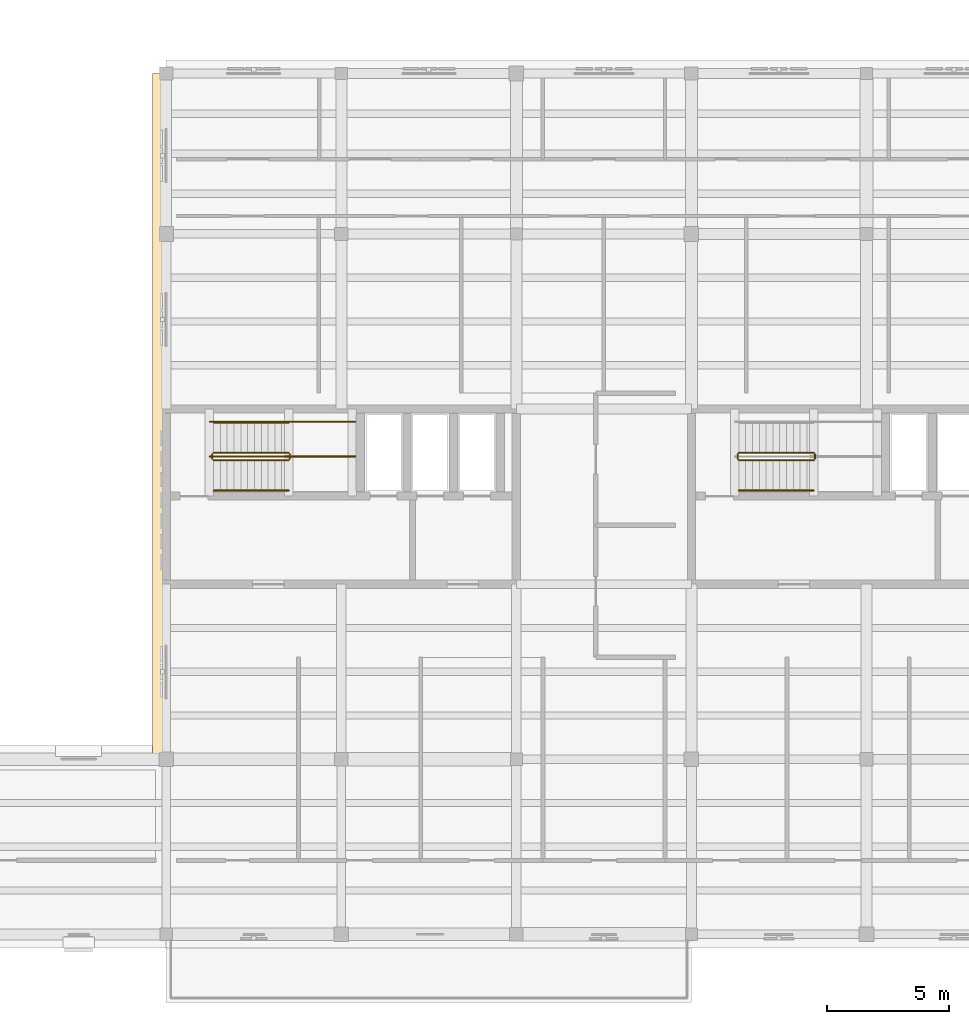
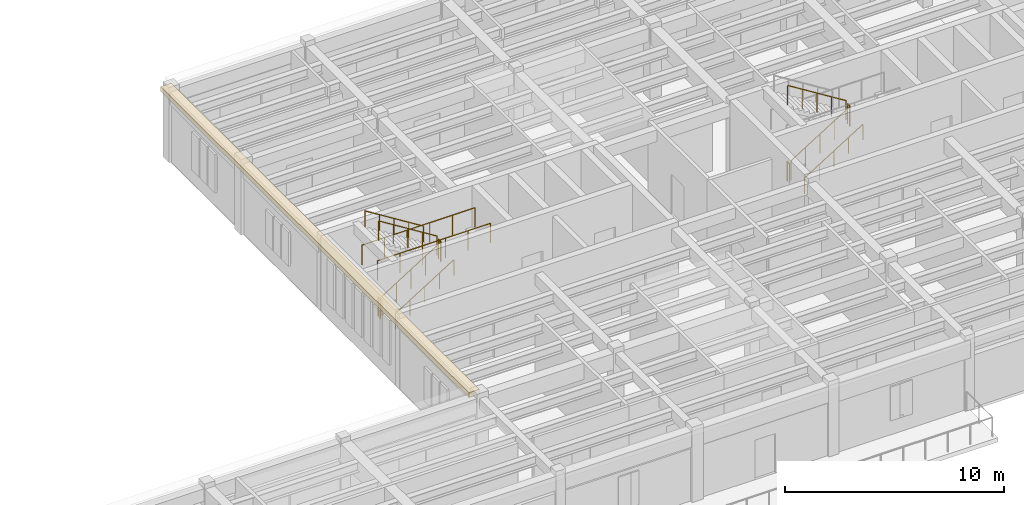
# One storey, part 21 of 22: 13 railings, 1 covering.
"""IFC4 building model written with IfcOpenShell, lengths in metres."""

from ifc_helpers import new_model, si_unit, direction, frame, origin, origin_2d, place, context, subcontext, project, spatial, rectangle, circle, extrude, material, layer, layer_set, type_object, element, save


model = new_model("IFC4")

# Units and contexts
model_context = context("Model", 3, precision=1e-05, world=origin(), true_north=direction((0.0, 1.0)))
body_context = subcontext(model_context, "Body", "Model", "MODEL_VIEW")
ifc_project = project(units=[si_unit("LENGTHUNIT", "METRE"), si_unit("AREAUNIT", "SQUARE_METRE"), si_unit("VOLUMEUNIT", "CUBIC_METRE"), si_unit("PLANEANGLEUNIT", "RADIAN"), si_unit("MASSUNIT", "GRAM", prefix="KILO")], contexts=[model_context])

# Site, building, storey
site_placement = place(None, origin())
site = spatial("IfcSite", under=ifc_project, at=site_placement, CompositionType="ELEMENT")
building_placement = place(site_placement, origin())
building = spatial("IfcBuilding", under=site, at=building_placement, Name="Mithqara Police Headquarters", CompositionType="ELEMENT")
storey_placement = place(building_placement, frame((0.0, 0.0, 22.199951171875)))
storey = spatial("IfcBuildingStorey", under=building, at=storey_placement, Name="L05", CompositionType="ELEMENT", Elevation=22.199951171875)

# Covering
ifc_material_1 = material(Name="Limestone ashlar masonry, 45 MPa", Category="masonry")
ifc_layer = layer(ifc_material_1, 0.320068359375, Name="Limestone ashlar masonry, 45 MPa")
ifc_layer_set = layer_set([ifc_layer], Name="Limestone ashlar masonry, 45 MPa")
covering_type = type_object("IfcCoveringType", Name="CORNICE LIMESTONE", PredefinedType="CLADDING", material=ifc_layer_set)
covering_placement = place(storey_placement, frame((108.320068359375, 99.89990234375, 3.919921875), z_axis=(0.0, 0.0, 1.0), x_axis=(0.0, 1.0, 0.0)))
element("IfcCovering", 1, at=covering_placement, inside=storey, type_object=covering_type, Name="L05 Projecting Ottoman Limestone Eaves Cornice 9", PredefinedType="CLADDING", context=body_context, shape_type="SweptSolid", body=[
    extrude(rectangle(XDim=28.199951171875, YDim=0.56005859375, at=origin_2d()), origin(), (0.0, 0.0, 1.0), 0.280029296875),
])

# Railings
ifc_material_2 = material(Name="Steel S355JR", Category="steel")
railing_type_1 = type_object("IfcRailingType", Name="HANDRAIL 920", PredefinedType="HANDRAIL", material=ifc_material_2)
railing_1_placement = place(storey_placement, frame((110.550048828125, 96.85009765625, 0.175048828125)))
element("IfcRailing", 2, at=railing_1_placement, inside=storey, type_object=railing_type_1, Name="L05 ST-01 stair handrail 1", PredefinedType="HANDRAIL", context=body_context, shape_type="SweptSolid", body=[
    extrude(circle(Radius=0.02392578125, at=origin_2d()), frame((0.0, 0.0, 0.8759765625), z_axis=(0.847979421464, 0.0, 0.530029150871), x_axis=(0.0, 1.0, 0.0)), (0.0, 0.0, 1.0), 3.632080078125),
    extrude(circle(Radius=0.02099609375, at=origin_2d()), origin(), (0.0, 0.0, 1.0), 0.851806640625),
    extrude(circle(Radius=0.02099609375, at=origin_2d()), frame((0.77001953125, 0.0, 0.481201171875)), (0.0, 0.0, 1.0), 0.851806640625),
    extrude(circle(Radius=0.02099609375, at=origin_2d()), frame((1.5400390625, 0.0, 0.96240234375)), (0.0, 0.0, 1.0), 0.851806640625),
    extrude(circle(Radius=0.02099609375, at=origin_2d()), frame((2.309814453125, 0.0, 1.44384765625)), (0.0, 0.0, 1.0), 0.851806640625),
    extrude(circle(Radius=0.02099609375, at=origin_2d()), frame((3.079833984375, 0.0, 1.925048828125)), (0.0, 0.0, 1.0), 0.851806640625),
])
railing_2_placement = place(storey_placement, frame((113.6298828125, 99.64990234375, 2.275146484375)))
element("IfcRailing", 3, at=railing_2_placement, inside=storey, type_object=railing_type_1, Name="L05 ST-01 stair handrail 2", PredefinedType="HANDRAIL", context=body_context, shape_type="SweptSolid", body=[
    extrude(circle(Radius=0.02392578125, at=origin_2d()), frame((0.0, 0.0, 0.8759765625), z_axis=(-0.848009633417, 0.0, 0.529980812513), x_axis=(0.0, -1.0, 0.0)), (0.0, 0.0, 1.0), 3.6318359375),
    extrude(circle(Radius=0.02099609375, at=origin_2d()), origin(), (0.0, 0.0, 1.0), 0.851806640625),
    extrude(circle(Radius=0.02099609375, at=origin_2d()), frame((-0.77001953125, 0.0, 0.481201171875)), (0.0, 0.0, 1.0), 0.851806640625),
    extrude(circle(Radius=0.02099609375, at=origin_2d()), frame((-1.5400390625, 0.0, 0.96240234375)), (0.0, 0.0, 1.0), 0.851806640625),
    extrude(circle(Radius=0.02099609375, at=origin_2d()), frame((-2.309814453125, 0.0, 1.443603515625)), (0.0, 0.0, 1.0), 0.851806640625),
    extrude(circle(Radius=0.02099609375, at=origin_2d()), frame((-3.079833984375, 0.0, 1.9248046875)), (0.0, 0.0, 1.0), 0.851806640625),
])
railing_3_placement = place(storey_placement, frame((132.14990234375, 96.85009765625, 0.175048828125)))
element("IfcRailing", 4, at=railing_3_placement, inside=storey, type_object=railing_type_1, Name="L05 ST-02 stair handrail 1", PredefinedType="HANDRAIL", context=body_context, shape_type="SweptSolid", body=[
    extrude(circle(Radius=0.02392578125, at=origin_2d()), frame((0.0, 0.0, 0.8759765625), z_axis=(0.847998304005, 0.0, 0.529998940003), x_axis=(0.0, 1.0, 0.0)), (0.0, 0.0, 1.0), 3.632080078125),
    extrude(circle(Radius=0.02099609375, at=origin_2d()), origin(), (0.0, 0.0, 1.0), 0.851806640625),
    extrude(circle(Radius=0.02099609375, at=origin_2d()), frame((0.77001953125, 0.0, 0.481201171875)), (0.0, 0.0, 1.0), 0.851806640625),
    extrude(circle(Radius=0.02099609375, at=origin_2d()), frame((1.5400390625, 0.0, 0.96240234375)), (0.0, 0.0, 1.0), 0.851806640625),
    extrude(circle(Radius=0.02099609375, at=origin_2d()), frame((2.31005859375, 0.0, 1.44384765625)), (0.0, 0.0, 1.0), 0.851806640625),
    extrude(circle(Radius=0.02099609375, at=origin_2d()), frame((3.080078125, 0.0, 1.925048828125)), (0.0, 0.0, 1.0), 0.851806640625),
])
railing_type_2 = type_object("IfcRailingType", Name="STAIR GUARD 1120", PredefinedType="GUARDRAIL", material=ifc_material_2)
railing_4_placement = place(storey_placement, frame((110.550048828125, 98.10009765625, 0.175048828125)))
element("IfcRailing", 5, at=railing_4_placement, inside=storey, type_object=railing_type_2, Name="L05 ST-01 stair guard 1", PredefinedType="GUARDRAIL", context=body_context, shape_type="SweptSolid", body=[
    extrude(circle(Radius=0.02392578125, at=origin_2d()), frame((0.0, 0.0, 1.076171875), z_axis=(0.847979421464, 0.0, 0.530029150871), x_axis=(0.0, 1.0, 0.0)), (0.0, 0.0, 1.0), 3.632080078125),
    extrude(circle(Radius=0.02099609375, at=origin_2d()), origin(), (0.0, 0.0, 1.0), 1.052001953125),
    extrude(circle(Radius=0.02099609375, at=origin_2d()), frame((0.77001953125, 0.0, 0.481201171875)), (0.0, 0.0, 1.0), 1.052001953125),
    extrude(circle(Radius=0.02099609375, at=origin_2d()), frame((1.5400390625, 0.0, 0.96240234375)), (0.0, 0.0, 1.0), 1.052001953125),
    extrude(circle(Radius=0.02099609375, at=origin_2d()), frame((2.309814453125, 0.0, 1.44384765625)), (0.0, 0.0, 1.0), 1.052001953125),
    extrude(circle(Radius=0.02099609375, at=origin_2d()), frame((3.079833984375, 0.0, 1.925048828125)), (0.0, 0.0, 1.0), 1.052001953125),
])
railing_5_placement = place(storey_placement, frame((113.679931640625, 98.14990234375, 2.10009765625)))
element("IfcRailing", 6, at=railing_5_placement, inside=storey, type_object=railing_type_2, Name="L05 ST-01 stair guard 2", PredefinedType="GUARDRAIL", context=body_context, shape_type="SweptSolid", body=[
    extrude(circle(Radius=0.02392578125, at=origin_2d()), frame((0.0, 0.0, 1.076171875), z_axis=(0.0, 1.0, 0.0), x_axis=(-1.0, 0.0, 0.0)), (0.0, 0.0, 1.0), 0.2001953125),
    extrude(circle(Radius=0.02099609375, at=origin_2d()), origin(), (0.0, 0.0, 1.0), 1.052001953125),
    extrude(circle(Radius=0.02099609375, at=origin_2d()), frame((0.0, 0.2001953125, 0.0)), (0.0, 0.0, 1.0), 1.052001953125),
])
railing_6_placement = place(storey_placement, frame((113.6298828125, 98.39990234375, 2.275146484375)))
element("IfcRailing", 7, at=railing_6_placement, inside=storey, type_object=railing_type_2, Name="L05 ST-01 stair guard 3", PredefinedType="GUARDRAIL", context=body_context, shape_type="SweptSolid", body=[
    extrude(circle(Radius=0.02392578125, at=origin_2d()), frame((0.0, 0.0, 1.076171875), z_axis=(-0.848009633417, 0.0, 0.529980812513), x_axis=(0.0, -1.0, 0.0)), (0.0, 0.0, 1.0), 3.6318359375),
    extrude(circle(Radius=0.02099609375, at=origin_2d()), origin(), (0.0, 0.0, 1.0), 1.052001953125),
    extrude(circle(Radius=0.02099609375, at=origin_2d()), frame((-0.77001953125, 0.0, 0.481201171875)), (0.0, 0.0, 1.0), 1.052001953125),
    extrude(circle(Radius=0.02099609375, at=origin_2d()), frame((-1.5400390625, 0.0, 0.96240234375)), (0.0, 0.0, 1.0), 1.052001953125),
    extrude(circle(Radius=0.02099609375, at=origin_2d()), frame((-2.309814453125, 0.0, 1.443603515625)), (0.0, 0.0, 1.0), 1.052001953125),
    extrude(circle(Radius=0.02099609375, at=origin_2d()), frame((-3.079833984375, 0.0, 1.9248046875)), (0.0, 0.0, 1.0), 1.052001953125),
])
railing_7_placement = place(storey_placement, frame((110.5, 98.14990234375, 0.0)))
element("IfcRailing", 8, at=railing_7_placement, inside=storey, type_object=railing_type_2, Name="L05 ST-01 stair guard 4", PredefinedType="GUARDRAIL", context=body_context, shape_type="SweptSolid", body=[
    extrude(circle(Radius=0.02392578125, at=origin_2d()), frame((0.0, 0.0, 1.076171875), z_axis=(0.0, 1.0, 0.0), x_axis=(-1.0, 0.0, 0.0)), (0.0, 0.0, 1.0), 0.2001953125),
    extrude(circle(Radius=0.02099609375, at=origin_2d()), origin(), (0.0, 0.0, 1.0), 1.052001953125),
    extrude(circle(Radius=0.02099609375, at=origin_2d()), frame((0.0, 0.2001953125, 0.0)), (0.0, 0.0, 1.0), 1.052001953125),
])
for number, where, name in (
    (9, (110.39990234375, 98.25, 2.10009765625), "L05 ST-01 Half-Landing Guard IN"),
    (10, (110.39990234375, 99.679931640625, 2.10009765625), "L05 ST-01 Half-Landing Guard OUT"),
):
    element("IfcRailing", number, at=place(storey_placement, frame(where)), inside=storey, type_object=railing_type_2, Name=name, PredefinedType="GUARDRAIL", context=body_context, shape_type="SweptSolid", body=[
        extrude(circle(Radius=0.02392578125, at=origin_2d()), frame((0.0, 0.0, 1.09619140625), z_axis=(1.0, 0.0, 0.0), x_axis=(0.0, 1.0, 0.0)), (0.0, 0.0, 1.0), 5.97998046875),
        extrude(circle(Radius=0.02099609375, at=origin_2d()), origin(), (0.0, 0.0, 1.0), 1.072021484375),
        extrude(circle(Radius=0.02099609375, at=origin_2d()), frame((1.196044921875, 0.0, 0.0)), (0.0, 0.0, 1.0), 1.072021484375),
        extrude(circle(Radius=0.02099609375, at=origin_2d()), frame((2.39208984375, 0.0, 0.0)), (0.0, 0.0, 1.0), 1.072021484375),
        extrude(circle(Radius=0.02099609375, at=origin_2d()), frame((3.587890625, 0.0, 0.0)), (0.0, 0.0, 1.0), 1.072021484375),
        extrude(circle(Radius=0.02099609375, at=origin_2d()), frame((4.783935546875, 0.0, 0.0)), (0.0, 0.0, 1.0), 1.072021484375),
        extrude(circle(Radius=0.02099609375, at=origin_2d()), frame((5.97998046875, 0.0, 0.0)), (0.0, 0.0, 1.0), 1.072021484375),
    ])
railing_8_placement = place(storey_placement, frame((132.14990234375, 98.10009765625, 0.175048828125)))
element("IfcRailing", 11, at=railing_8_placement, inside=storey, type_object=railing_type_2, Name="L05 ST-02 stair guard 1", PredefinedType="GUARDRAIL", context=body_context, shape_type="SweptSolid", body=[
    extrude(circle(Radius=0.02392578125, at=origin_2d()), frame((0.0, 0.0, 1.076171875), z_axis=(0.847998304005, 0.0, 0.529998940003), x_axis=(0.0, 1.0, 0.0)), (0.0, 0.0, 1.0), 3.632080078125),
    extrude(circle(Radius=0.02099609375, at=origin_2d()), origin(), (0.0, 0.0, 1.0), 1.052001953125),
    extrude(circle(Radius=0.02099609375, at=origin_2d()), frame((0.77001953125, 0.0, 0.481201171875)), (0.0, 0.0, 1.0), 1.052001953125),
    extrude(circle(Radius=0.02099609375, at=origin_2d()), frame((1.5400390625, 0.0, 0.96240234375)), (0.0, 0.0, 1.0), 1.052001953125),
    extrude(circle(Radius=0.02099609375, at=origin_2d()), frame((2.31005859375, 0.0, 1.44384765625)), (0.0, 0.0, 1.0), 1.052001953125),
    extrude(circle(Radius=0.02099609375, at=origin_2d()), frame((3.080078125, 0.0, 1.925048828125)), (0.0, 0.0, 1.0), 1.052001953125),
])
railing_9_placement = place(storey_placement, frame((135.280029296875, 98.14990234375, 2.10009765625)))
element("IfcRailing", 12, at=railing_9_placement, inside=storey, type_object=railing_type_2, Name="L05 ST-02 stair guard 2", PredefinedType="GUARDRAIL", context=body_context, shape_type="SweptSolid", body=[
    extrude(circle(Radius=0.02392578125, at=origin_2d()), frame((0.0, 0.0, 1.076171875), z_axis=(0.0, 1.0, 0.0), x_axis=(-1.0, 0.0, 0.0)), (0.0, 0.0, 1.0), 0.2001953125),
    extrude(circle(Radius=0.02099609375, at=origin_2d()), origin(), (0.0, 0.0, 1.0), 1.052001953125),
    extrude(circle(Radius=0.02099609375, at=origin_2d()), frame((0.0, 0.2001953125, 0.0)), (0.0, 0.0, 1.0), 1.052001953125),
])
railing_10_placement = place(storey_placement, frame((135.22998046875, 98.39990234375, 2.275146484375)))
element("IfcRailing", 13, at=railing_10_placement, inside=storey, type_object=railing_type_2, Name="L05 ST-02 stair guard 3", PredefinedType="GUARDRAIL", context=body_context, shape_type="SweptSolid", body=[
    extrude(circle(Radius=0.02392578125, at=origin_2d()), frame((0.0, 0.0, 1.076171875), z_axis=(-0.848028513186, 0.0, 0.529950602248), x_axis=(0.0, -1.0, 0.0)), (0.0, 0.0, 1.0), 3.632080078125),
    extrude(circle(Radius=0.02099609375, at=origin_2d()), origin(), (0.0, 0.0, 1.0), 1.052001953125),
    extrude(circle(Radius=0.02099609375, at=origin_2d()), frame((-0.77001953125, 0.0, 0.481201171875)), (0.0, 0.0, 1.0), 1.052001953125),
    extrude(circle(Radius=0.02099609375, at=origin_2d()), frame((-1.5400390625, 0.0, 0.96240234375)), (0.0, 0.0, 1.0), 1.052001953125),
    extrude(circle(Radius=0.02099609375, at=origin_2d()), frame((-2.31005859375, 0.0, 1.443603515625)), (0.0, 0.0, 1.0), 1.052001953125),
    extrude(circle(Radius=0.02099609375, at=origin_2d()), frame((-3.080078125, 0.0, 1.9248046875)), (0.0, 0.0, 1.0), 1.052001953125),
])
railing_11_placement = place(storey_placement, frame((132.10009765625, 98.14990234375, 0.0)))
element("IfcRailing", 14, at=railing_11_placement, inside=storey, type_object=railing_type_2, Name="L05 ST-02 stair guard 4", PredefinedType="GUARDRAIL", context=body_context, shape_type="SweptSolid", body=[
    extrude(circle(Radius=0.02392578125, at=origin_2d()), frame((0.0, 0.0, 1.076171875), z_axis=(0.0, 1.0, 0.0), x_axis=(-1.0, 0.0, 0.0)), (0.0, 0.0, 1.0), 0.2001953125),
    extrude(circle(Radius=0.02099609375, at=origin_2d()), origin(), (0.0, 0.0, 1.0), 1.052001953125),
    extrude(circle(Radius=0.02099609375, at=origin_2d()), frame((0.0, 0.2001953125, 0.0)), (0.0, 0.0, 1.0), 1.052001953125),
])

save(model, "model.ifc")
